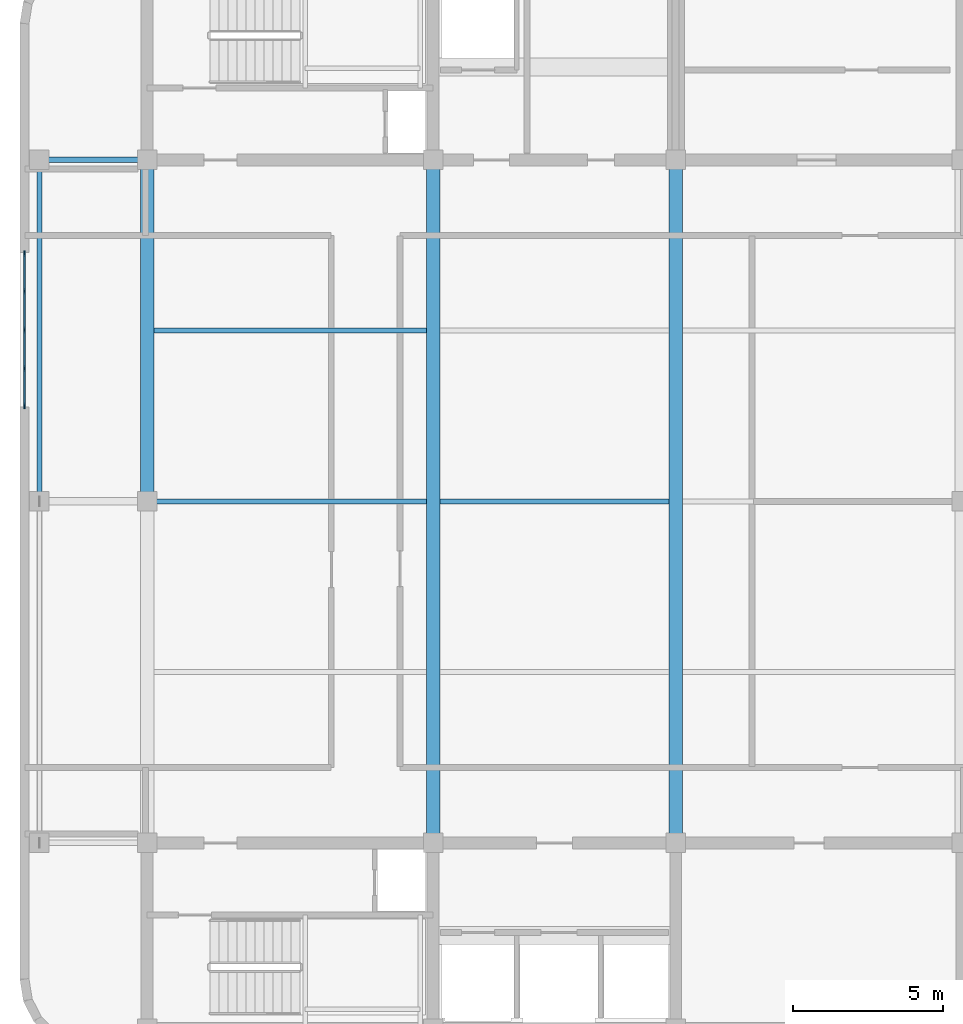
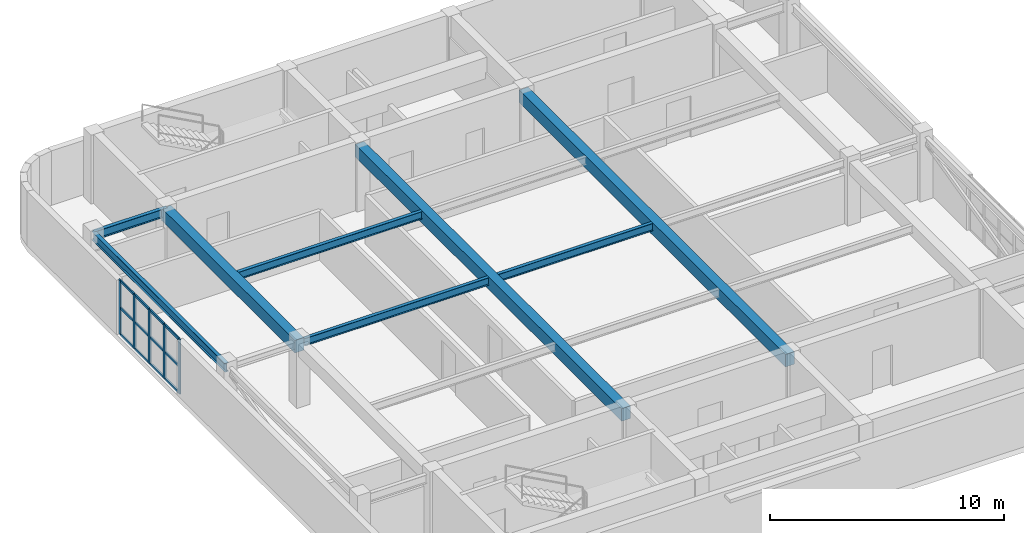
# One storey, part 2 of 9: 17 members, 8 beams, 1 element without a shape of its own.
"""IFC4 building model written with IfcOpenShell, lengths in metres."""

from ifc_helpers import new_model, si_unit, direction, frame, origin, origin_2d, place, context, subcontext, project, spatial, rectangle, i_section, extrude, material, material_profile, profile_set, type_object, element, aggregate, save


model = new_model("IFC4")

# Units and contexts
model_context = context("Model", 3, precision=1e-05, world=origin(), true_north=direction((0.0, 1.0)))
body_context = subcontext(model_context, "Body", "Model", "MODEL_VIEW")
ifc_project = project(units=[si_unit("LENGTHUNIT", "METRE"), si_unit("AREAUNIT", "SQUARE_METRE"), si_unit("VOLUMEUNIT", "CUBIC_METRE"), si_unit("PLANEANGLEUNIT", "RADIAN"), si_unit("MASSUNIT", "GRAM", prefix="KILO")], contexts=[model_context])

# Site, building, storey
site_placement = place(None, origin())
site = spatial("IfcSite", under=ifc_project, at=site_placement, CompositionType="ELEMENT")
building_placement = place(site_placement, origin())
building = spatial("IfcBuilding", under=site, at=building_placement, Name="Svetorya Sky Lyceum", CompositionType="ELEMENT")
storey_placement = place(building_placement, frame((0.0, 0.0, 316.39990234375)))
storey = spatial("IfcBuildingStorey", under=building, at=storey_placement, Name="C05", CompositionType="ELEMENT", Elevation=316.39990234375)

# Beams
ifc_material_1 = material(Name="Concrete C40/50", Category="concrete")
ifc_material_profile_1 = material_profile(ifc_material_1, rectangle(XDim=0.449951171875, YDim=0.64990234375, at=origin_2d()), Name="RC BEAM 450x650")
ifc_profile_set_1 = profile_set([ifc_material_profile_1], Name="Concrete C40/50")
beam_type_1 = type_object("IfcBeamType", Name="BM-RC-650", PredefinedType="BEAM", material=ifc_profile_set_1)
beam_1_placement = place(storey_placement, frame((25.60009765625, 28.199951171875, 2.9951171875), z_axis=(0.0, 1.0, 0.0), x_axis=(-1.0, 0.0, 0.0)))
element("IfcBeam", 1, at=beam_1_placement, inside=storey, type_object=beam_type_1, Name="C05 Central Bay Primary Girder CG-1B", PredefinedType="BEAM", context=body_context, shape_type="SweptSolid", body=[
    extrude(rectangle(XDim=0.449951171875, YDim=0.64990234375, at=origin_2d()), origin(), (0.0, 0.0, 1.0), 11.400146484375),
])
for number, where, z_axis, x_axis, name in (
    (2, (35.14990234375, 16.800048828125, 2.9951171875), (0.0, 1.0, 0.0), (-1.0, 0.0, 0.0), "C05 Central Bay Primary Girder CG-2"),
    (3, (43.25, 16.800048828125, 2.9951171875), (0.0, 1.0, 0.0), (-1.0, 0.0, 0.0), "C05 Central Bay Primary Girder CG-3"),
):
    element("IfcBeam", number, at=place(storey_placement, frame(where, z_axis=z_axis, x_axis=x_axis)), inside=storey, type_object=beam_type_1, Name=name, PredefinedType="BEAM", context=body_context, shape_type="SweptSolid", body=[
        extrude(rectangle(XDim=0.449951171875, YDim=0.64990234375, at=origin_2d()), origin(), (0.0, 0.0, 1.0), 22.800048828125),
    ])
ifc_material_2 = material(Name="Steel S355", Category="steel")
ifc_material_profile_2 = material_profile(ifc_material_2, i_section(OverallWidth=0.1650390625, OverallDepth=0.39990234375, WebThickness=0.008056640625, FlangeThickness=0.012939453125, at=origin_2d()), Name="GOST 40B2")
ifc_profile_set_2 = profile_set([ifc_material_profile_2], Name="Steel S355")
beam_type_2 = type_object("IfcBeamType", Name="BM-STL-40B2", PredefinedType="JOIST", material=ifc_profile_set_2)
beam_2_placement = place(storey_placement, frame((25.824951171875, 28.199951171875, 3.1201171875), z_axis=(1.0, 0.0, 0.0), x_axis=(0.0, 1.0, 0.0)))
element("IfcBeam", 4, at=beam_2_placement, inside=storey, type_object=beam_type_2, Name="C05 Central Floor Joist CJ-2.1", PredefinedType="JOIST", context=body_context, shape_type="SweptSolid", body=[
    extrude(i_section(OverallWidth=0.1650390625, OverallDepth=0.39990234375, WebThickness=0.008056640625, FlangeThickness=0.012939453125, at=origin_2d()), origin(), (0.0, 0.0, 1.0), 9.10009765625),
])
beam_3_placement = place(storey_placement, frame((35.375, 28.199951171875, 3.1201171875), z_axis=(1.0, 0.0, 0.0), x_axis=(0.0, 1.0, 0.0)))
element("IfcBeam", 5, at=beam_3_placement, inside=storey, type_object=beam_type_2, Name="C05 Central Floor Joist CJ-2.2", PredefinedType="JOIST", context=body_context, shape_type="SweptSolid", body=[
    extrude(i_section(OverallWidth=0.1650390625, OverallDepth=0.39990234375, WebThickness=0.008056640625, FlangeThickness=0.012939453125, at=origin_2d()), origin(), (0.0, 0.0, 1.0), 7.64990234375),
])
beam_4_placement = place(storey_placement, frame((25.824951171875, 33.89990234375, 3.1201171875), z_axis=(1.0, 0.0, 0.0), x_axis=(0.0, 1.0, 0.0)))
element("IfcBeam", 6, at=beam_4_placement, inside=storey, type_object=beam_type_2, Name="C05 Central Floor Joist CJ-3.1", PredefinedType="JOIST", context=body_context, shape_type="SweptSolid", body=[
    extrude(i_section(OverallWidth=0.1650390625, OverallDepth=0.39990234375, WebThickness=0.008056640625, FlangeThickness=0.012939453125, at=origin_2d()), origin(), (0.0, 0.0, 1.0), 9.10009765625),
])
ifc_material_profile_3 = material_profile(ifc_material_2, i_section(OverallWidth=0.179931640625, OverallDepth=0.449951171875, WebThickness=0.009033203125, FlangeThickness=0.014404296875, at=origin_2d()), Name="GOST 45B2")
ifc_profile_set_3 = profile_set([ifc_material_profile_3], Name="Steel S355")
beam_type_3 = type_object("IfcBeamType", Name="BM-STL-45B2", PredefinedType="SPANDREL", material=ifc_profile_set_3)
beam_5_placement = place(storey_placement, frame((22.010009765625, 39.60009765625, 3.09521484375), z_axis=(1.0, 0.0, 0.0), x_axis=(0.0, 1.0, 0.0)))
element("IfcBeam", 7, at=beam_5_placement, inside=storey, type_object=beam_type_3, Name="C05 Tie Spandrel NW", PredefinedType="SPANDREL", context=body_context, shape_type="SweptSolid", body=[
    extrude(i_section(OverallWidth=0.179931640625, OverallDepth=0.449951171875, WebThickness=0.009033203125, FlangeThickness=0.014404296875, at=origin_2d()), origin(), (0.0, 0.0, 1.0), 3.590087890625),
])
beam_6_placement = place(storey_placement, frame((22.010009765625, 28.199951171875, 3.09521484375), z_axis=(0.0, 1.0, 0.0), x_axis=(-1.0, 0.0, 0.0)))
element("IfcBeam", 8, at=beam_6_placement, inside=storey, type_object=beam_type_3, Name="C05 West Spandrel 2", PredefinedType="SPANDREL", context=body_context, shape_type="SweptSolid", body=[
    extrude(i_section(OverallWidth=0.179931640625, OverallDepth=0.449951171875, WebThickness=0.009033203125, FlangeThickness=0.014404296875, at=origin_2d()), origin(), (0.0, 0.0, 1.0), 11.400146484375),
])

# Curtain wall, members
ifc_material_3 = material(Name="Thermally broken anodized aluminium and triple low-E glass", Category="aluminium")
curtain_wall_type = type_object("IfcCurtainWallType", Name="CW5-LVR-PLT", PredefinedType="NOTDEFINED", material=ifc_material_3)
curtain_wall_placement = place(storey_placement, origin())
curtain_wall = element("IfcCurtainWall", 9, at=curtain_wall_placement, inside=storey, type_object=curtain_wall_type, Name="C05 Acoustic Plant Louvre Curtain Wall 24", PredefinedType="NOTDEFINED")
ifc_material_4 = material(Name="Thermally broken anodized aluminium EN AW-6060", Category="aluminium")
ifc_material_profile_4 = material_profile(ifc_material_4, rectangle(XDim=0.06494140625, YDim=0.179931640625, at=origin_2d()), Name="ALU MULLION 65x180")
ifc_profile_set_4 = profile_set([ifc_material_profile_4], Name="Thermally broken anodized aluminium EN AW-6060")
member_type_1 = type_object("IfcMemberType", Name="CWM-MUL-180", PredefinedType="MULLION", material=ifc_profile_set_4)
member_1_placement = place(storey_placement, frame((21.510009765625, 36.467529296875, 0.0), z_axis=(0.0, 0.0, 1.0), x_axis=(1.0, 0.0, 0.0)))
member_1 = element("IfcMember", 10, at=member_1_placement, type_object=member_type_1, Name="CW-5 mullion 1", PredefinedType="MULLION", context=body_context, shape_type="SweptSolid", body=[
    extrude(rectangle(XDim=0.06494140625, YDim=0.179931640625, at=origin_2d()), origin(), (0.0, 0.0, 1.0), 2.840087890625),
])
member_2_placement = place(storey_placement, frame((21.510009765625, 35.21240234375, 0.0), z_axis=(0.0, 0.0, 1.0), x_axis=(1.0, 0.0, 0.0)))
member_2 = element("IfcMember", 11, at=member_2_placement, type_object=member_type_1, Name="CW-5 mullion 2", PredefinedType="MULLION", context=body_context, shape_type="SweptSolid", body=[
    extrude(rectangle(XDim=0.06494140625, YDim=0.179931640625, at=origin_2d()), origin(), (0.0, 0.0, 1.0), 2.840087890625),
])
member_3_placement = place(storey_placement, frame((21.510009765625, 33.925048828125, 0.0), z_axis=(0.0, 0.0, 1.0), x_axis=(1.0, 0.0, 0.0)))
member_3 = element("IfcMember", 12, at=member_3_placement, type_object=member_type_1, Name="CW-5 mullion 3", PredefinedType="MULLION", context=body_context, shape_type="SweptSolid", body=[
    extrude(rectangle(XDim=0.06494140625, YDim=0.179931640625, at=origin_2d()), origin(), (0.0, 0.0, 1.0), 2.840087890625),
])
member_4_placement = place(storey_placement, frame((21.510009765625, 32.637451171875, 0.0), z_axis=(0.0, 0.0, 1.0), x_axis=(1.0, 0.0, 0.0)))
member_4 = element("IfcMember", 13, at=member_4_placement, type_object=member_type_1, Name="CW-5 mullion 4", PredefinedType="MULLION", context=body_context, shape_type="SweptSolid", body=[
    extrude(rectangle(XDim=0.06494140625, YDim=0.179931640625, at=origin_2d()), origin(), (0.0, 0.0, 1.0), 2.840087890625),
])
member_5_placement = place(storey_placement, frame((21.510009765625, 31.382568359375, 0.0), z_axis=(0.0, 0.0, 1.0), x_axis=(1.0, 0.0, 0.0)))
member_5 = element("IfcMember", 14, at=member_5_placement, type_object=member_type_1, Name="CW-5 mullion 5", PredefinedType="MULLION", context=body_context, shape_type="SweptSolid", body=[
    extrude(rectangle(XDim=0.06494140625, YDim=0.179931640625, at=origin_2d()), origin(), (0.0, 0.0, 1.0), 2.840087890625),
])
ifc_material_profile_5 = material_profile(ifc_material_4, rectangle(XDim=0.06494140625, YDim=0.139892578125, at=origin_2d()), Name="ALU TRANSOM 65x140")
ifc_profile_set_5 = profile_set([ifc_material_profile_5], Name="Thermally broken anodized aluminium EN AW-6060")
member_type_2 = type_object("IfcMemberType", Name="CWM-TRN-140", PredefinedType="USERDEFINED", material=ifc_profile_set_5)
member_6_placement = place(storey_placement, frame((21.510009765625, 36.4365234375, 0.03271484375), z_axis=(0.0, -1.0, 0.0), x_axis=(1.0, 0.0, 0.0)))
member_6 = element("IfcMember", 15, at=member_6_placement, type_object=member_type_2, Name="CW-5 transom 1.1", ObjectType="TRANSOM", PredefinedType="USERDEFINED", context=body_context, shape_type="SweptSolid", body=[
    extrude(rectangle(XDim=0.06494140625, YDim=0.139892578125, at=origin_2d()), origin(), (0.0, 0.0, 1.0), 1.193115234375),
])
member_7_placement = place(storey_placement, frame((21.510009765625, 36.4365234375, 1.420166015625), z_axis=(0.0, -1.0, 0.0), x_axis=(1.0, 0.0, 0.0)))
member_7 = element("IfcMember", 16, at=member_7_placement, type_object=member_type_2, Name="CW-5 transom 1.2", ObjectType="TRANSOM", PredefinedType="USERDEFINED", context=body_context, shape_type="SweptSolid", body=[
    extrude(rectangle(XDim=0.06494140625, YDim=0.139892578125, at=origin_2d()), origin(), (0.0, 0.0, 1.0), 1.193115234375),
])
member_8_placement = place(storey_placement, frame((21.510009765625, 36.4365234375, 2.8076171875), z_axis=(0.0, -1.0, 0.0), x_axis=(1.0, 0.0, 0.0)))
member_8 = element("IfcMember", 17, at=member_8_placement, type_object=member_type_2, Name="CW-5 transom 1.3", ObjectType="TRANSOM", PredefinedType="USERDEFINED", context=body_context, shape_type="SweptSolid", body=[
    extrude(rectangle(XDim=0.06494140625, YDim=0.139892578125, at=origin_2d()), origin(), (0.0, 0.0, 1.0), 1.193115234375),
])
member_9_placement = place(storey_placement, frame((21.510009765625, 35.181396484375, 0.03271484375), z_axis=(0.0, -1.0, 0.0), x_axis=(1.0, 0.0, 0.0)))
member_9 = element("IfcMember", 18, at=member_9_placement, type_object=member_type_2, Name="CW-5 transom 2.1", ObjectType="TRANSOM", PredefinedType="USERDEFINED", context=body_context, shape_type="SweptSolid", body=[
    extrude(rectangle(XDim=0.06494140625, YDim=0.139892578125, at=origin_2d()), origin(), (0.0, 0.0, 1.0), 1.225341796875),
])
member_10_placement = place(storey_placement, frame((21.510009765625, 35.181396484375, 1.420166015625), z_axis=(0.0, -1.0, 0.0), x_axis=(1.0, 0.0, 0.0)))
member_10 = element("IfcMember", 19, at=member_10_placement, type_object=member_type_2, Name="CW-5 transom 2.2", ObjectType="TRANSOM", PredefinedType="USERDEFINED", context=body_context, shape_type="SweptSolid", body=[
    extrude(rectangle(XDim=0.06494140625, YDim=0.139892578125, at=origin_2d()), origin(), (0.0, 0.0, 1.0), 1.225341796875),
])
member_11_placement = place(storey_placement, frame((21.510009765625, 35.181396484375, 2.8076171875), z_axis=(0.0, -1.0, 0.0), x_axis=(1.0, 0.0, 0.0)))
member_11 = element("IfcMember", 20, at=member_11_placement, type_object=member_type_2, Name="CW-5 transom 2.3", ObjectType="TRANSOM", PredefinedType="USERDEFINED", context=body_context, shape_type="SweptSolid", body=[
    extrude(rectangle(XDim=0.06494140625, YDim=0.139892578125, at=origin_2d()), origin(), (0.0, 0.0, 1.0), 1.225341796875),
])
member_12_placement = place(storey_placement, frame((21.510009765625, 33.89404296875, 0.03271484375), z_axis=(0.0, -1.0, 0.0), x_axis=(1.0, 0.0, 0.0)))
member_12 = element("IfcMember", 21, at=member_12_placement, type_object=member_type_2, Name="CW-5 transom 3.1", ObjectType="TRANSOM", PredefinedType="USERDEFINED", context=body_context, shape_type="SweptSolid", body=[
    extrude(rectangle(XDim=0.06494140625, YDim=0.139892578125, at=origin_2d()), origin(), (0.0, 0.0, 1.0), 1.2255859375),
])
member_13_placement = place(storey_placement, frame((21.510009765625, 33.89404296875, 1.420166015625), z_axis=(0.0, -1.0, 0.0), x_axis=(1.0, 0.0, 0.0)))
member_13 = element("IfcMember", 22, at=member_13_placement, type_object=member_type_2, Name="CW-5 transom 3.2", ObjectType="TRANSOM", PredefinedType="USERDEFINED", context=body_context, shape_type="SweptSolid", body=[
    extrude(rectangle(XDim=0.06494140625, YDim=0.139892578125, at=origin_2d()), origin(), (0.0, 0.0, 1.0), 1.2255859375),
])
member_14_placement = place(storey_placement, frame((21.510009765625, 33.89404296875, 2.8076171875), z_axis=(0.0, -1.0, 0.0), x_axis=(1.0, 0.0, 0.0)))
member_14 = element("IfcMember", 23, at=member_14_placement, type_object=member_type_2, Name="CW-5 transom 3.3", ObjectType="TRANSOM", PredefinedType="USERDEFINED", context=body_context, shape_type="SweptSolid", body=[
    extrude(rectangle(XDim=0.06494140625, YDim=0.139892578125, at=origin_2d()), origin(), (0.0, 0.0, 1.0), 1.2255859375),
])
member_15_placement = place(storey_placement, frame((21.510009765625, 32.6064453125, 0.03271484375), z_axis=(0.0, -1.0, 0.0), x_axis=(1.0, 0.0, 0.0)))
member_15 = element("IfcMember", 24, at=member_15_placement, type_object=member_type_2, Name="CW-5 transom 4.1", ObjectType="TRANSOM", PredefinedType="USERDEFINED", context=body_context, shape_type="SweptSolid", body=[
    extrude(rectangle(XDim=0.06494140625, YDim=0.139892578125, at=origin_2d()), origin(), (0.0, 0.0, 1.0), 1.19287109375),
])
member_16_placement = place(storey_placement, frame((21.510009765625, 32.6064453125, 1.420166015625), z_axis=(0.0, -1.0, 0.0), x_axis=(1.0, 0.0, 0.0)))
member_16 = element("IfcMember", 25, at=member_16_placement, type_object=member_type_2, Name="CW-5 transom 4.2", ObjectType="TRANSOM", PredefinedType="USERDEFINED", context=body_context, shape_type="SweptSolid", body=[
    extrude(rectangle(XDim=0.06494140625, YDim=0.139892578125, at=origin_2d()), origin(), (0.0, 0.0, 1.0), 1.19287109375),
])
member_17_placement = place(storey_placement, frame((21.510009765625, 32.6064453125, 2.8076171875), z_axis=(0.0, -1.0, 0.0), x_axis=(1.0, 0.0, 0.0)))
member_17 = element("IfcMember", 26, at=member_17_placement, type_object=member_type_2, Name="CW-5 transom 4.3", ObjectType="TRANSOM", PredefinedType="USERDEFINED", context=body_context, shape_type="SweptSolid", body=[
    extrude(rectangle(XDim=0.06494140625, YDim=0.139892578125, at=origin_2d()), origin(), (0.0, 0.0, 1.0), 1.19287109375),
])
aggregate(curtain_wall, [member_1, member_2, member_3, member_4, member_5, member_6, member_7, member_8, member_9, member_10, member_11, member_12, member_13, member_14, member_15, member_16, member_17])

save(model, "model.ifc")
